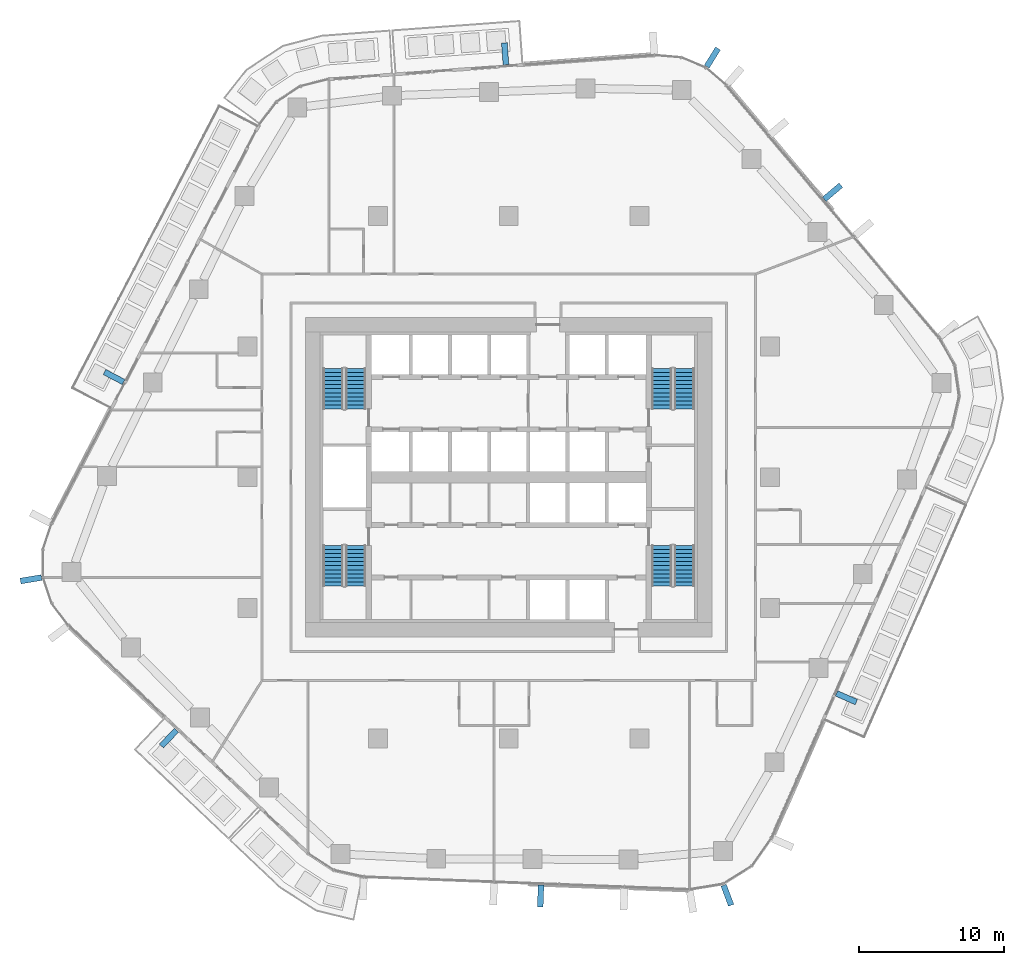
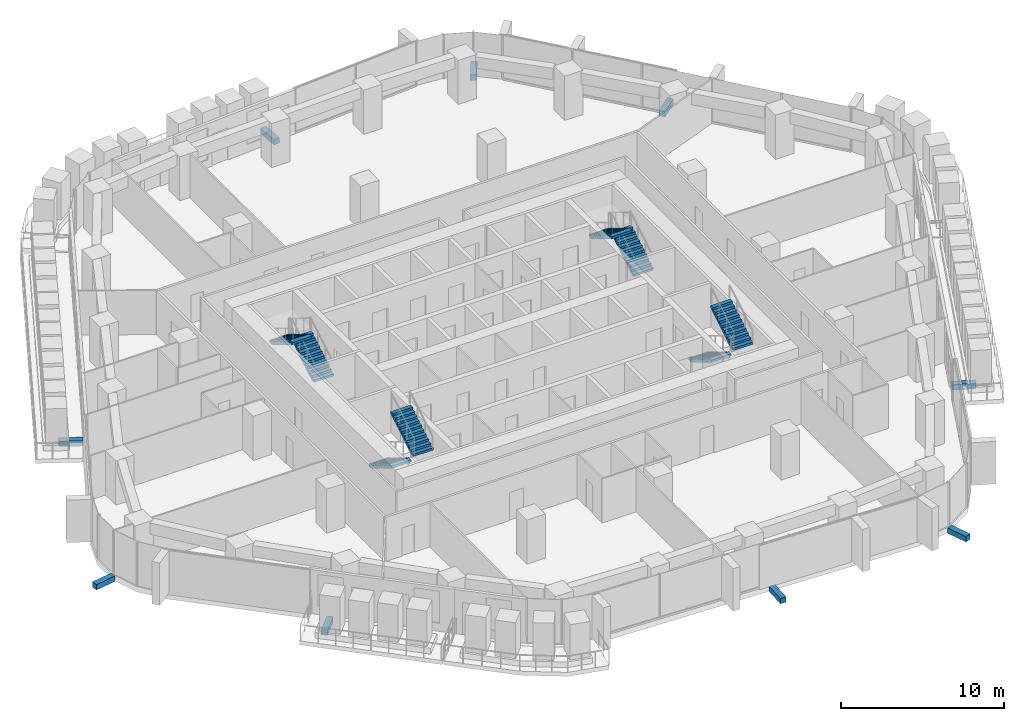
# One storey, part 17 of 23: 9 discrete accessories, 8 stair flights, 4 elements without a shape of their own.
"""IFC4 building model written with IfcOpenShell, lengths in metres."""

from ifc_helpers import new_model, si_unit, direction, frame, origin, origin_2d, place, context, subcontext, project, spatial, polyline, rectangle, outline, extrude, material, layer, layer_set, type_object, element, aggregate, save


model = new_model("IFC4")

# Units and contexts
model_context = context("Model", 3, precision=1e-05, world=origin(), true_north=direction((0.0, 1.0)))
body_context = subcontext(model_context, "Body", "Model", "MODEL_VIEW")
ifc_project = project(units=[si_unit("LENGTHUNIT", "METRE"), si_unit("AREAUNIT", "SQUARE_METRE"), si_unit("VOLUMEUNIT", "CUBIC_METRE"), si_unit("PLANEANGLEUNIT", "RADIAN"), si_unit("MASSUNIT", "GRAM", prefix="KILO")], contexts=[model_context])

# Site, building, storey
site_placement = place(None, origin())
site = spatial("IfcSite", under=ifc_project, at=site_placement, CompositionType="ELEMENT")
building_placement = place(site_placement, origin())
building = spatial("IfcBuilding", under=site, at=building_placement, Name="Dongbaek Canopy Tower", CompositionType="ELEMENT")
storey_placement = place(building_placement, frame((0.0, 0.0, 135.89990234375)))
storey = spatial("IfcBuildingStorey", under=building, at=storey_placement, Name="L30", CompositionType="ELEMENT", Elevation=135.89990234375)

# Stair, stair flights
ifc_material_1 = material(Name="Concrete C40/50", Category="concrete")
stair_type = type_object("IfcStairType", Name="Core exit stair", PredefinedType="HALF_TURN_STAIR", material=ifc_material_1)
stair_1_placement = place(storey_placement, origin())
stair_1 = element("IfcStair", 1, at=stair_1_placement, inside=storey, type_object=stair_type, Name="L30 exit stair A", PredefinedType="HALF_TURN_STAIR")
ifc_material_2 = material(Name="Concrete C40/50", Category="concrete")
ifc_layer = layer(ifc_material_2, 0.14990234375)
ifc_layer_set = layer_set([ifc_layer], Name="Core stair flight 150 waist")
stair_flight_type = type_object("IfcStairFlightType", Name="Core stair flight 150 waist", PredefinedType="STRAIGHT", material=ifc_layer_set)
stair_flight_1_placement = place(storey_placement, frame((12.10009765625, 4.699951171875, 0.0), z_axis=(0.0, 0.0, 1.0), x_axis=(0.0, 1.0, 0.0)))
stair_flight_1 = element("IfcStairFlight", 2, at=stair_flight_1_placement, type_object=stair_flight_type, Name="ST-A flight 1", NumberOfRisers=11, NumberOfTreads=10, PredefinedType="STRAIGHT", RiserHeight=0.168181818, TreadLength=0.28, context=body_context, shape_type="SweptSolid", body=[
    extrude(outline(polyline([(0.0, 0.0), (0.0, 0.168212890625), (0.280029296875, 0.168212890625), (0.280029296875, 0.33642578125), (0.56005859375, 0.33642578125), (0.56005859375, 0.504638671875), (0.840087890625, 0.504638671875), (0.840087890625, 0.672607421875), (1.1201171875, 0.672607421875), (1.1201171875, 0.8408203125), (1.39990234375, 0.8408203125), (1.39990234375, 1.009033203125), (1.679931640625, 1.009033203125), (1.679931640625, 1.17724609375), (1.9599609375, 1.17724609375), (1.9599609375, 1.345458984375), (2.239990234375, 1.345458984375), (2.239990234375, 1.513671875), (2.52001953125, 1.513671875), (2.52001953125, 1.681884765625), (2.800048828125, 1.681884765625), (2.800048828125, 1.85009765625), (2.800048828125, 1.5068359375), (0.291015625, 0.0), (0.0, 0.0)])), frame((0.0, 0.699951171875, 0.0), z_axis=(0.0, -1.0, 0.0), x_axis=(1.0, 0.0, 0.0)), (0.0, 0.0, 1.0), 1.39990234375),
])
stair_flight_2_placement = place(storey_placement, frame((10.550048828125, 7.5, 1.85009765625), z_axis=(0.0, 0.0, 1.0), x_axis=(0.0, -1.0, 0.0)))
stair_flight_2 = element("IfcStairFlight", 3, at=stair_flight_2_placement, type_object=stair_flight_type, Name="ST-A flight 2", NumberOfRisers=11, NumberOfTreads=10, PredefinedType="STRAIGHT", RiserHeight=0.168181818, TreadLength=0.28, context=body_context, shape_type="SweptSolid", body=[
    extrude(outline(polyline([(0.0, 0.0), (0.0, 0.168212890625), (0.280029296875, 0.168212890625), (0.280029296875, 0.33642578125), (0.56005859375, 0.33642578125), (0.56005859375, 0.504638671875), (0.840087890625, 0.504638671875), (0.840087890625, 0.672607421875), (1.1201171875, 0.672607421875), (1.1201171875, 0.8408203125), (1.39990234375, 0.8408203125), (1.39990234375, 1.009033203125), (1.679931640625, 1.009033203125), (1.679931640625, 1.17724609375), (1.9599609375, 1.17724609375), (1.9599609375, 1.345458984375), (2.239990234375, 1.345458984375), (2.239990234375, 1.513671875), (2.52001953125, 1.513671875), (2.52001953125, 1.681884765625), (2.800048828125, 1.681884765625), (2.800048828125, 1.85009765625), (2.800048828125, 1.5068359375), (0.291015625, 0.0), (0.0, 0.0)])), frame((0.0, 0.699951171875, 0.0), z_axis=(0.0, -1.0, 0.0), x_axis=(1.0, 0.0, 0.0)), (0.0, 0.0, 1.0), 1.39990234375),
])
aggregate(stair_1, [stair_flight_1, stair_flight_2])

stair_2_placement = place(storey_placement, origin())
stair_2 = element("IfcStair", 4, at=stair_2_placement, inside=storey, type_object=stair_type, Name="L30 exit stair C", PredefinedType="HALF_TURN_STAIR")
stair_flight_3_placement = place(storey_placement, frame((-10.550048828125, 4.699951171875, 0.0), z_axis=(0.0, 0.0, 1.0), x_axis=(0.0, 1.0, 0.0)))
stair_flight_3 = element("IfcStairFlight", 5, at=stair_flight_3_placement, type_object=stair_flight_type, Name="ST-C flight 1", NumberOfRisers=11, NumberOfTreads=10, PredefinedType="STRAIGHT", RiserHeight=0.168181818, TreadLength=0.28, context=body_context, shape_type="SweptSolid", body=[
    extrude(outline(polyline([(0.0, 0.0), (0.0, 0.168212890625), (0.280029296875, 0.168212890625), (0.280029296875, 0.33642578125), (0.56005859375, 0.33642578125), (0.56005859375, 0.504638671875), (0.840087890625, 0.504638671875), (0.840087890625, 0.672607421875), (1.1201171875, 0.672607421875), (1.1201171875, 0.8408203125), (1.39990234375, 0.8408203125), (1.39990234375, 1.009033203125), (1.679931640625, 1.009033203125), (1.679931640625, 1.17724609375), (1.9599609375, 1.17724609375), (1.9599609375, 1.345458984375), (2.239990234375, 1.345458984375), (2.239990234375, 1.513671875), (2.52001953125, 1.513671875), (2.52001953125, 1.681884765625), (2.800048828125, 1.681884765625), (2.800048828125, 1.85009765625), (2.800048828125, 1.5068359375), (0.291015625, 0.0), (0.0, 0.0)])), frame((0.0, 0.699951171875, 0.0), z_axis=(0.0, -1.0, 0.0), x_axis=(1.0, 0.0, 0.0)), (0.0, 0.0, 1.0), 1.39990234375),
])
stair_flight_4_placement = place(storey_placement, frame((-12.10009765625, 7.5, 1.85009765625), z_axis=(0.0, 0.0, 1.0), x_axis=(0.0, -1.0, 0.0)))
stair_flight_4 = element("IfcStairFlight", 6, at=stair_flight_4_placement, type_object=stair_flight_type, Name="ST-C flight 2", NumberOfRisers=11, NumberOfTreads=10, PredefinedType="STRAIGHT", RiserHeight=0.168181818, TreadLength=0.28, context=body_context, shape_type="SweptSolid", body=[
    extrude(outline(polyline([(0.0, 0.0), (0.0, 0.168212890625), (0.280029296875, 0.168212890625), (0.280029296875, 0.33642578125), (0.56005859375, 0.33642578125), (0.56005859375, 0.504638671875), (0.840087890625, 0.504638671875), (0.840087890625, 0.672607421875), (1.1201171875, 0.672607421875), (1.1201171875, 0.8408203125), (1.39990234375, 0.8408203125), (1.39990234375, 1.009033203125), (1.679931640625, 1.009033203125), (1.679931640625, 1.17724609375), (1.9599609375, 1.17724609375), (1.9599609375, 1.345458984375), (2.239990234375, 1.345458984375), (2.239990234375, 1.513671875), (2.52001953125, 1.513671875), (2.52001953125, 1.681884765625), (2.800048828125, 1.681884765625), (2.800048828125, 1.85009765625), (2.800048828125, 1.5068359375), (0.291015625, 0.0), (0.0, 0.0)])), frame((0.0, 0.699951171875, 0.0), z_axis=(0.0, -1.0, 0.0), x_axis=(1.0, 0.0, 0.0)), (0.0, 0.0, 1.0), 1.39990234375),
])
aggregate(stair_2, [stair_flight_3, stair_flight_4])

stair_3_placement = place(storey_placement, origin())
stair_3 = element("IfcStair", 7, at=stair_3_placement, inside=storey, type_object=stair_type, Name="L30 exit stair B", PredefinedType="HALF_TURN_STAIR")
stair_flight_5_placement = place(storey_placement, frame((10.550048828125, -4.699951171875, 0.0), z_axis=(0.0, 0.0, 1.0), x_axis=(0.0, -1.0, 0.0)))
stair_flight_5 = element("IfcStairFlight", 8, at=stair_flight_5_placement, type_object=stair_flight_type, Name="ST-B flight 1", NumberOfRisers=11, NumberOfTreads=10, PredefinedType="STRAIGHT", RiserHeight=0.168181818, TreadLength=0.28, context=body_context, shape_type="SweptSolid", body=[
    extrude(outline(polyline([(0.0, 0.0), (0.0, 0.168212890625), (0.280029296875, 0.168212890625), (0.280029296875, 0.33642578125), (0.56005859375, 0.33642578125), (0.56005859375, 0.504638671875), (0.840087890625, 0.504638671875), (0.840087890625, 0.672607421875), (1.1201171875, 0.672607421875), (1.1201171875, 0.8408203125), (1.39990234375, 0.8408203125), (1.39990234375, 1.009033203125), (1.679931640625, 1.009033203125), (1.679931640625, 1.17724609375), (1.9599609375, 1.17724609375), (1.9599609375, 1.345458984375), (2.239990234375, 1.345458984375), (2.239990234375, 1.513671875), (2.52001953125, 1.513671875), (2.52001953125, 1.681884765625), (2.800048828125, 1.681884765625), (2.800048828125, 1.85009765625), (2.800048828125, 1.5068359375), (0.291015625, 0.0), (0.0, 0.0)])), frame((0.0, 0.699951171875, 0.0), z_axis=(0.0, -1.0, 0.0), x_axis=(1.0, 0.0, 0.0)), (0.0, 0.0, 1.0), 1.39990234375),
])
stair_flight_6_placement = place(storey_placement, frame((12.10009765625, -7.5, 1.85009765625), z_axis=(0.0, 0.0, 1.0), x_axis=(0.0, 1.0, 0.0)))
stair_flight_6 = element("IfcStairFlight", 9, at=stair_flight_6_placement, type_object=stair_flight_type, Name="ST-B flight 2", NumberOfRisers=11, NumberOfTreads=10, PredefinedType="STRAIGHT", RiserHeight=0.168181818, TreadLength=0.28, context=body_context, shape_type="SweptSolid", body=[
    extrude(outline(polyline([(0.0, 0.0), (0.0, 0.168212890625), (0.280029296875, 0.168212890625), (0.280029296875, 0.33642578125), (0.56005859375, 0.33642578125), (0.56005859375, 0.504638671875), (0.840087890625, 0.504638671875), (0.840087890625, 0.672607421875), (1.1201171875, 0.672607421875), (1.1201171875, 0.8408203125), (1.39990234375, 0.8408203125), (1.39990234375, 1.009033203125), (1.679931640625, 1.009033203125), (1.679931640625, 1.17724609375), (1.9599609375, 1.17724609375), (1.9599609375, 1.345458984375), (2.239990234375, 1.345458984375), (2.239990234375, 1.513671875), (2.52001953125, 1.513671875), (2.52001953125, 1.681884765625), (2.800048828125, 1.681884765625), (2.800048828125, 1.85009765625), (2.800048828125, 1.5068359375), (0.291015625, 0.0), (0.0, 0.0)])), frame((0.0, 0.699951171875, 0.0), z_axis=(0.0, -1.0, 0.0), x_axis=(1.0, 0.0, 0.0)), (0.0, 0.0, 1.0), 1.39990234375),
])
aggregate(stair_3, [stair_flight_5, stair_flight_6])

stair_4_placement = place(storey_placement, origin())
stair_4 = element("IfcStair", 10, at=stair_4_placement, inside=storey, type_object=stair_type, Name="L30 exit stair D", PredefinedType="HALF_TURN_STAIR")
stair_flight_7_placement = place(storey_placement, frame((-12.10009765625, -4.699951171875, 0.0), z_axis=(0.0, 0.0, 1.0), x_axis=(0.0, -1.0, 0.0)))
stair_flight_7 = element("IfcStairFlight", 11, at=stair_flight_7_placement, type_object=stair_flight_type, Name="ST-D flight 1", NumberOfRisers=11, NumberOfTreads=10, PredefinedType="STRAIGHT", RiserHeight=0.168181818, TreadLength=0.28, context=body_context, shape_type="SweptSolid", body=[
    extrude(outline(polyline([(0.0, 0.0), (0.0, 0.168212890625), (0.280029296875, 0.168212890625), (0.280029296875, 0.33642578125), (0.56005859375, 0.33642578125), (0.56005859375, 0.504638671875), (0.840087890625, 0.504638671875), (0.840087890625, 0.672607421875), (1.1201171875, 0.672607421875), (1.1201171875, 0.8408203125), (1.39990234375, 0.8408203125), (1.39990234375, 1.009033203125), (1.679931640625, 1.009033203125), (1.679931640625, 1.17724609375), (1.9599609375, 1.17724609375), (1.9599609375, 1.345458984375), (2.239990234375, 1.345458984375), (2.239990234375, 1.513671875), (2.52001953125, 1.513671875), (2.52001953125, 1.681884765625), (2.800048828125, 1.681884765625), (2.800048828125, 1.85009765625), (2.800048828125, 1.5068359375), (0.291015625, 0.0), (0.0, 0.0)])), frame((0.0, 0.699951171875, 0.0), z_axis=(0.0, -1.0, 0.0), x_axis=(1.0, 0.0, 0.0)), (0.0, 0.0, 1.0), 1.39990234375),
])
stair_flight_8_placement = place(storey_placement, frame((-10.550048828125, -7.5, 1.85009765625), z_axis=(0.0, 0.0, 1.0), x_axis=(0.0, 1.0, 0.0)))
stair_flight_8 = element("IfcStairFlight", 12, at=stair_flight_8_placement, type_object=stair_flight_type, Name="ST-D flight 2", NumberOfRisers=11, NumberOfTreads=10, PredefinedType="STRAIGHT", RiserHeight=0.168181818, TreadLength=0.28, context=body_context, shape_type="SweptSolid", body=[
    extrude(outline(polyline([(0.0, 0.0), (0.0, 0.168212890625), (0.280029296875, 0.168212890625), (0.280029296875, 0.33642578125), (0.56005859375, 0.33642578125), (0.56005859375, 0.504638671875), (0.840087890625, 0.504638671875), (0.840087890625, 0.672607421875), (1.1201171875, 0.672607421875), (1.1201171875, 0.8408203125), (1.39990234375, 0.8408203125), (1.39990234375, 1.009033203125), (1.679931640625, 1.009033203125), (1.679931640625, 1.17724609375), (1.9599609375, 1.17724609375), (1.9599609375, 1.345458984375), (2.239990234375, 1.345458984375), (2.239990234375, 1.513671875), (2.52001953125, 1.513671875), (2.52001953125, 1.681884765625), (2.800048828125, 1.681884765625), (2.800048828125, 1.85009765625), (2.800048828125, 1.5068359375), (0.291015625, 0.0), (0.0, 0.0)])), frame((0.0, 0.699951171875, 0.0), z_axis=(0.0, -1.0, 0.0), x_axis=(1.0, 0.0, 0.0)), (0.0, 0.0, 1.0), 1.39990234375),
])
aggregate(stair_4, [stair_flight_7, stair_flight_8])

# Discrete accessories
ifc_material_3 = material(Name="Galvanised steel S355 bracket", Category="steel")
discrete_accessory_type = type_object("IfcDiscreteAccessoryType", Name="Crease fin bracket BR3 400", PredefinedType="BRACKET", material=ifc_material_3)
discrete_accessory_1_placement = place(storey_placement, frame((22.31494140625, 19.63720703125, -0.39990234375), z_axis=(0.0, 0.0, 1.0), x_axis=(0.764438901396, 0.644696181183, 0.0)))
element("IfcDiscreteAccessory", 13, at=discrete_accessory_1_placement, inside=storey, type_object=discrete_accessory_type, Name="Crease fin bracket L30 F0", PredefinedType="BRACKET", context=body_context, shape_type="SweptSolid", body=[
    extrude(rectangle(XDim=1.50439453125, YDim=0.39990234375, at=origin_2d()), origin(), (0.0, 0.0, 1.0), 0.39990234375),
])
discrete_accessory_2_placement = place(storey_placement, frame((-0.248046875, 29.177001953125, -0.39990234375), z_axis=(0.0, 0.0, 1.0), x_axis=(-0.073518437616, 0.997293858063, 0.0)))
element("IfcDiscreteAccessory", 14, at=discrete_accessory_2_placement, inside=storey, type_object=discrete_accessory_type, Name="Crease fin bracket L30 F1", PredefinedType="BRACKET", context=body_context, shape_type="SweptSolid", body=[
    extrude(rectangle(XDim=1.5048828125, YDim=0.39990234375, at=origin_2d()), origin(), (0.0, 0.0, 1.0), 0.39990234375),
])
discrete_accessory_3_placement = place(storey_placement, frame((-27.201171875, 6.90625, -0.39990234375), z_axis=(0.0, 0.0, 1.0), x_axis=(-0.886927004617, 0.461909610727, 0.0)))
element("IfcDiscreteAccessory", 15, at=discrete_accessory_3_placement, inside=storey, type_object=discrete_accessory_type, Name="Crease fin bracket L30 F2", PredefinedType="BRACKET", context=body_context, shape_type="SweptSolid", body=[
    extrude(rectangle(XDim=1.4912109375, YDim=0.39990234375, at=origin_2d()), origin(), (0.0, 0.0, 1.0), 0.39990234375),
])
discrete_accessory_4_placement = place(storey_placement, frame((-23.41357421875, -17.9736328125, -0.39990234375), z_axis=(0.0, 0.0, 1.0), x_axis=(-0.689302234071, -0.724473898843, 0.0)))
element("IfcDiscreteAccessory", 16, at=discrete_accessory_4_placement, inside=storey, type_object=discrete_accessory_type, Name="Crease fin bracket L30 F3", PredefinedType="BRACKET", context=body_context, shape_type="SweptSolid", body=[
    extrude(rectangle(XDim=1.506103515625, YDim=0.39990234375, at=origin_2d()), origin(), (0.0, 0.0, 1.0), 0.39990234375),
])
discrete_accessory_5_placement = place(storey_placement, frame((2.198486328125, -28.855712890625, -0.39990234375), z_axis=(0.0, 0.0, 1.0), x_axis=(-0.038586629205, -0.999255258703, 0.0)))
element("IfcDiscreteAccessory", 17, at=discrete_accessory_5_placement, inside=storey, type_object=discrete_accessory_type, Name="Crease fin bracket L30 F4", PredefinedType="BRACKET", context=body_context, shape_type="SweptSolid", body=[
    extrude(rectangle(XDim=1.506591796875, YDim=0.39990234375, at=origin_2d()), origin(), (0.0, 0.0, 1.0), 0.39990234375),
])
discrete_accessory_6_placement = place(storey_placement, frame((23.2705078125, -15.197021484375, -0.39990234375), z_axis=(0.0, 0.0, 1.0), x_axis=(0.915562245858, -0.402176297112, 0.0)))
element("IfcDiscreteAccessory", 18, at=discrete_accessory_6_placement, inside=storey, type_object=discrete_accessory_type, Name="Crease fin bracket L30 F5", PredefinedType="BRACKET", context=body_context, shape_type="SweptSolid", body=[
    extrude(rectangle(XDim=1.490478515625, YDim=0.39990234375, at=origin_2d()), origin(), (0.0, 0.0, 1.0), 0.39990234375),
])
for number, where, z_axis, x_axis, name in (
    (19, (14.031982421875, 28.919189453125, -0.39990234375), (0.0, 0.0, 1.0), (0.527440762672, 0.849591808972, 0.0), "Corner fin bracket L30 K1"),
    (20, (-32.922119140625, -7.032958984375, -0.39990234375), (0.0, 0.0, 1.0), (-0.986408330282, -0.164312525236, 0.0), "Corner fin bracket L30 K3"),
    (21, (15.06591796875, -28.80615234375, -0.39990234375), (0.0, 0.0, 1.0), (0.352183074996, -0.935931130846, 0.0), "Corner fin bracket L30 K5"),
):
    element("IfcDiscreteAccessory", number, at=place(storey_placement, frame(where, z_axis=z_axis, x_axis=x_axis)), inside=storey, type_object=discrete_accessory_type, Name=name, PredefinedType="BRACKET", context=body_context, shape_type="SweptSolid", body=[
        extrude(rectangle(XDim=1.469970703125, YDim=0.39990234375, at=origin_2d()), origin(), (0.0, 0.0, 1.0), 0.39990234375),
    ])

save(model, "model.ifc")
